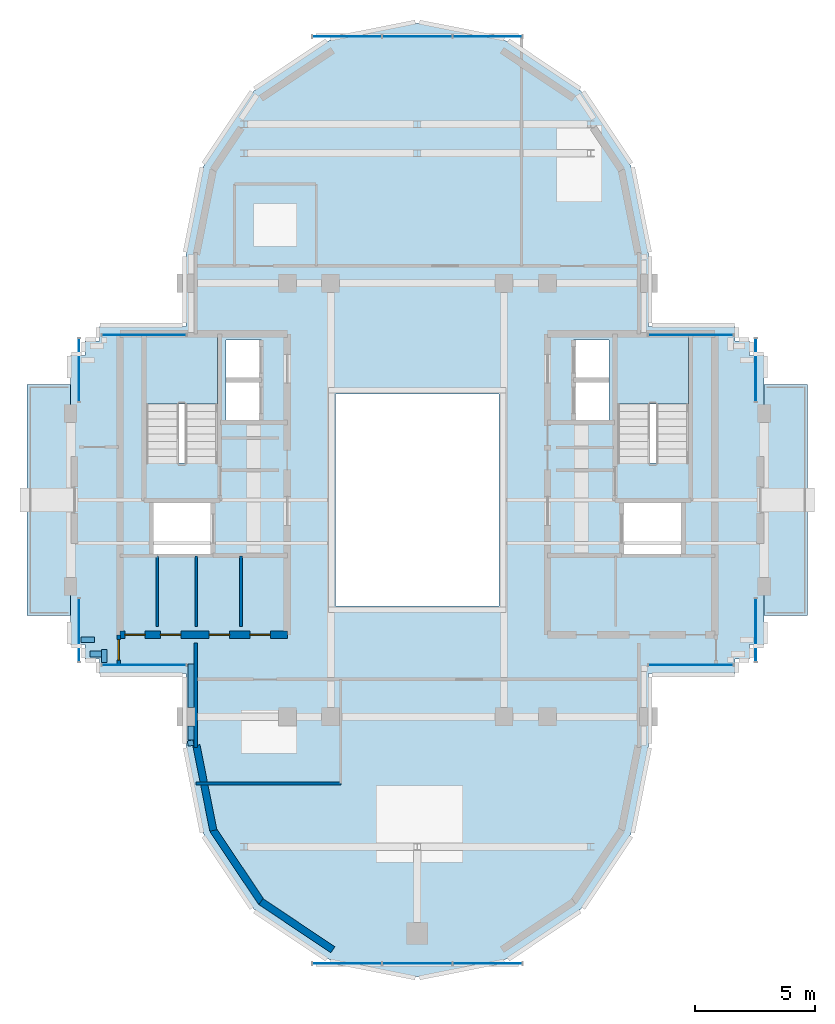
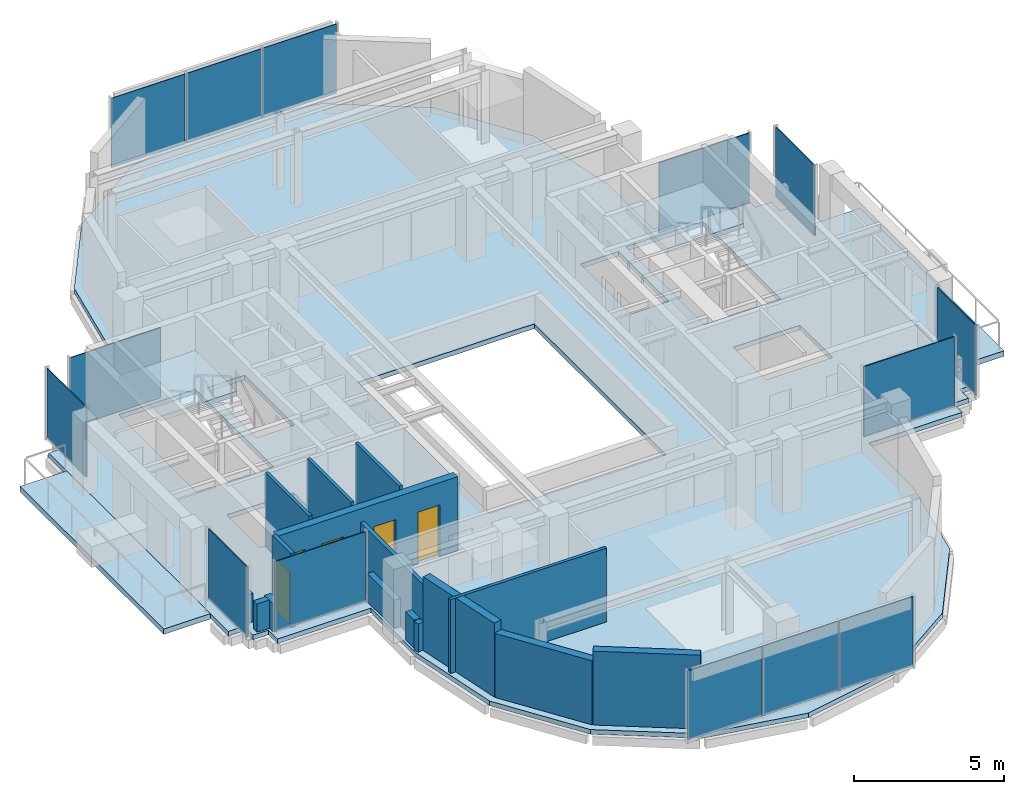
# One storey, part 6 of 12: 16 walls, 14 plates, 5 doors, 5 slabs, 5 openings, 12 elements without a shape of their own.
"""IFC4 building model written with IfcOpenShell, lengths in metres."""

from ifc_helpers import new_model, si_unit, direction, frame, frame_2d, origin, origin_2d, place, context, subcontext, project, spatial, polyline, rectangle, outline, extrude, source, transform, mapped, material, layer, layer_set, type_object, element, fill, aggregate, save


model = new_model("IFC4")

# Units and contexts
model_context = context("Model", 3, precision=1e-05, world=origin(), true_north=direction((0.0, 1.0)))
body_context = subcontext(model_context, "Body", "Model", "MODEL_VIEW")
ifc_project = project(units=[si_unit("LENGTHUNIT", "METRE"), si_unit("AREAUNIT", "SQUARE_METRE"), si_unit("VOLUMEUNIT", "CUBIC_METRE"), si_unit("PLANEANGLEUNIT", "RADIAN"), si_unit("MASSUNIT", "GRAM", prefix="KILO")], contexts=[model_context])

# Site, building, storey
site_placement = place(None, origin())
site = spatial("IfcSite", under=ifc_project, at=site_placement, CompositionType="ELEMENT")
building_placement = place(site_placement, origin())
building = spatial("IfcBuilding", under=site, at=building_placement, Name="Keilestroom Media Tower", CompositionType="ELEMENT")
storey_placement = place(building_placement, frame((0.0, 0.0, 258.800048828125)))
storey = spatial("IfcBuildingStorey", under=building, at=storey_placement, Name="L72", CompositionType="ELEMENT", Elevation=258.800048828125)

# Slabs
ifc_material_1 = material(Name="Concrete C50/60", Category="concrete")
ifc_layer_1 = layer(ifc_material_1, 0.18994140625)
ifc_layer_set_1 = layer_set([ifc_layer_1], Name="Concrete C50/60")
slab_type_1 = type_object("IfcSlabType", Name="Composite-Floor-Slab-190", PredefinedType="FLOOR", material=ifc_layer_set_1)
slab_1_placement = place(storey_placement, frame((0.0, 0.0, -0.18994140625)))
element("IfcSlab", 1, at=slab_1_placement, inside=storey, type_object=slab_type_1, Name="L72 Structural Composite Floor Slab", PredefinedType="FLOOR", context=body_context, shape_type="SweptSolid", body=[
    extrude(outline(polyline([(14.39990234375, -6.0), (14.39990234375, 6.0), (13.800048828125, 6.0), (13.800048828125, 6.60009765625), (13.199951171875, 6.60009765625), (13.199951171875, 7.199951171875), (9.60009765625, 7.199951171875), (9.60009765625, 9.60009765625), (9.60009765625, 10.199951171875), (8.869140625, 13.873779296875), (6.7880859375, 16.98828125), (3.673828125, 19.069091796875), (0.0, 19.800048828125), (-3.673828125, 19.069091796875), (-6.7880859375, 16.98828125), (-8.869140625, 13.873779296875), (-9.60009765625, 10.199951171875), (-9.60009765625, 9.60009765625), (-9.60009765625, 7.199951171875), (-13.199951171875, 7.199951171875), (-13.199951171875, 6.60009765625), (-13.800048828125, 6.60009765625), (-13.800048828125, 6.0), (-14.39990234375, 6.0), (-14.39990234375, -6.0), (-13.800048828125, -6.0), (-13.800048828125, -6.60009765625), (-13.199951171875, -6.60009765625), (-13.199951171875, -7.199951171875), (-9.60009765625, -7.199951171875), (-9.60009765625, -9.60009765625), (-9.60009765625, -10.199951171875), (-8.869140625, -13.873779296875), (-6.7880859375, -16.98828125), (-3.673828125, -19.069091796875), (0.0, -19.800048828125), (3.673828125, -19.069091796875), (6.7880859375, -16.98828125), (8.869140625, -13.873779296875), (9.60009765625, -10.199951171875), (9.60009765625, -9.60009765625), (9.60009765625, -7.199951171875), (13.199951171875, -7.199951171875), (13.199951171875, -6.60009765625), (13.800048828125, -6.60009765625), (13.800048828125, -6.0), (14.39990234375, -6.0)]), holes=[polyline([(-8.300048828125, 1.544921875), (-11.260009765625, 1.544921875), (-11.260009765625, 6.760009765625), (-8.300048828125, 6.760009765625), (-8.300048828125, 1.544921875)]), polyline([(-8.47998046875, -2.280029296875), (-11.050048828125, -2.280029296875), (-11.050048828125, -0.10009765625), (-8.47998046875, -0.10009765625), (-8.47998046875, -2.280029296875)]), polyline([(-6.47998046875, 3.300048828125), (-7.949951171875, 3.300048828125), (-7.949951171875, 6.64990234375), (-6.47998046875, 6.64990234375), (-6.47998046875, 3.300048828125)]), polyline([(3.39990234375, -4.39990234375), (-3.39990234375, -4.39990234375), (-3.39990234375, 4.39990234375), (3.39990234375, 4.39990234375), (3.39990234375, -4.39990234375)]), polyline([(7.949951171875, 3.300048828125), (6.47998046875, 3.300048828125), (6.47998046875, 6.64990234375), (7.949951171875, 6.64990234375), (7.949951171875, 3.300048828125)]), polyline([(11.260009765625, 1.544921875), (8.300048828125, 1.544921875), (8.300048828125, 6.760009765625), (11.260009765625, 6.760009765625), (11.260009765625, 1.544921875)]), polyline([(11.050048828125, -2.280029296875), (8.47998046875, -2.280029296875), (8.47998046875, -0.10009765625), (11.050048828125, -0.10009765625), (11.050048828125, -2.280029296875)])]), origin(), (0.0, 0.0, 1.0), 0.18994140625),
])
ifc_material_2 = material(Name="Concrete C45/55", Category="concrete")
ifc_layer_2 = layer(ifc_material_2, 0.219970703125)
ifc_layer_set_2 = layer_set([ifc_layer_2], Name="Concrete C45/55")
slab_type_2 = type_object("IfcSlabType", Name="Exterior-Terrace-And-Sky-Garden-Slab-220", PredefinedType="FLOOR", material=ifc_layer_set_2)
slab_2_placement = place(storey_placement, frame((0.0, 0.0, -0.219970703125)))
element("IfcSlab", 2, at=slab_2_placement, inside=storey, type_object=slab_type_2, Name="L72 Planted Sky-Garden Terrace Slab L72-CUP-TERR-W", PredefinedType="FLOOR", context=body_context, shape_type="SweptSolid", body=[
    extrude(outline(polyline([(-16.199951171875, -4.800048828125), (-14.39990234375, -4.800048828125), (-14.39990234375, 4.800048828125), (-16.199951171875, 4.800048828125), (-16.199951171875, -4.800048828125)])), origin(), (0.0, 0.0, 1.0), 0.219970703125),
])
slab_3_placement = place(storey_placement, frame((0.0, 0.0, -0.219970703125)))
element("IfcSlab", 3, at=slab_3_placement, inside=storey, type_object=slab_type_2, Name="L72 Planted Sky-Garden Terrace Slab L72-CUP-TERR-E", PredefinedType="FLOOR", context=body_context, shape_type="SweptSolid", body=[
    extrude(outline(polyline([(14.39990234375, -4.800048828125), (16.199951171875, -4.800048828125), (16.199951171875, 4.800048828125), (14.39990234375, 4.800048828125), (14.39990234375, -4.800048828125)])), origin(), (0.0, 0.0, 1.0), 0.219970703125),
])

# Stair, slab
stair_type = type_object("IfcStairType", Name="Enclosed-Dog-Leg-Stair-ST-CORE", PredefinedType="HALF_TURN_STAIR", material=ifc_material_2)
stair_1_placement = place(storey_placement, origin())
stair_1 = element("IfcStair", 4, at=stair_1_placement, inside=storey, type_object=stair_type, Name="L72 West Core Escape Stair ST-1", PredefinedType="HALF_TURN_STAIR")
ifc_layer_3 = layer(ifc_material_2, 0.199951171875)
ifc_layer_set_3 = layer_set([ifc_layer_3], Name="Concrete C45/55")
slab_type_3 = type_object("IfcSlabType", Name="Stair-Intermediate-And-Top-Landing-Slab-200", PredefinedType="LANDING", material=ifc_layer_set_3)
slab_4_placement = place(storey_placement, frame((0.0, 0.0, 1.39990234375)))
slab_4 = element("IfcSlab", 5, at=slab_4_placement, type_object=slab_type_3, Name="ST-1 landing 1", PredefinedType="LANDING", context=body_context, shape_type="SweptSolid", body=[
    extrude(outline(polyline([(-8.300048828125, 3.99609375), (-8.300048828125, 6.760009765625), (-11.260009765625, 6.760009765625), (-11.260009765625, 3.99609375), (-8.300048828125, 3.99609375)])), origin(), (0.0, 0.0, 1.0), 0.199951171875),
])
aggregate(stair_1, [slab_4])

stair_2_placement = place(storey_placement, origin())
stair_2 = element("IfcStair", 6, at=stair_2_placement, inside=storey, type_object=stair_type, Name="L72 East Core Escape Stair ST-2", PredefinedType="HALF_TURN_STAIR")
slab_5_placement = place(storey_placement, frame((0.0, 0.0, 1.39990234375)))
slab_5 = element("IfcSlab", 7, at=slab_5_placement, type_object=slab_type_3, Name="ST-2 landing 1", PredefinedType="LANDING", context=body_context, shape_type="SweptSolid", body=[
    extrude(outline(polyline([(11.260009765625, 3.99609375), (11.260009765625, 6.760009765625), (8.300048828125, 6.760009765625), (8.300048828125, 3.99609375), (11.260009765625, 3.99609375)])), origin(), (0.0, 0.0, 1.0), 0.199951171875),
])
aggregate(stair_2, [slab_5])

# Curtain wall, plates
ifc_material_3 = material(Name="Anodised Aluminium Alloy", Category="aluminium")
curtain_wall_type_1 = type_object("IfcCurtainWallType", Name="Unitised-Curtain-Wall-CW-6", PredefinedType="NOTDEFINED", material=ifc_material_3)
curtain_wall_1_placement = place(storey_placement, origin())
curtain_wall_1 = element("IfcCurtainWall", 8, at=curtain_wall_1_placement, inside=storey, type_object=curtain_wall_type_1, Name="L72 Curtain Wall CW-6 CW-L72-LN-1", PredefinedType="NOTDEFINED")
ifc_material_4 = material(Name="Curved-Facet Triple Glazed Unit", Category="glass")
ifc_layer_4 = layer(ifc_material_4, 0.033935546875)
ifc_layer_set_4 = layer_set([ifc_layer_4], Name="Curved-Facet Triple Glazed Unit")
plate_type_1 = type_object("IfcPlateType", Name="Insulated-Curtain-Wall-Glazing-Panel-CW-6", PredefinedType="CURTAIN_PANEL", material=ifc_layer_set_4)
shared_shape_1 = source(origin(), body_context, "Body", "SweptSolid", [
    extrude(rectangle(XDim=2.84375, YDim=0.033935546875, at=origin_2d()), origin(), (0.0, 0.0, 1.0), 2.833984375),
])
plate_1_placement = place(storey_placement, frame((-2.9169921875, 19.25, 0.072998046875), z_axis=(0.0, 0.0, 1.0), x_axis=(1.0, 0.0, 0.0)))
plate_1 = element("IfcPlate", 9, at=plate_1_placement, type_object=plate_type_1, Name="CW-6 Unitised Glazing 00", PredefinedType="CURTAIN_PANEL", context=body_context, shape_type="MappedRepresentation", body=[
    mapped(shared_shape_1, transform((0.0, 0.0, 0.0), x_axis=(1.0, 0.0, 0.0), y_axis=(0.0, 1.0, 0.0), z_axis=(0.0, 0.0, 1.0), scale=1.0)),
])
plate_2_placement = place(storey_placement, frame((2.9169921875, 19.25, 0.072998046875), z_axis=(0.0, 0.0, 1.0), x_axis=(1.0, 0.0, 0.0)))
plate_2 = element("IfcPlate", 10, at=plate_2_placement, type_object=plate_type_1, Name="CW-6 Unitised Glazing 02", PredefinedType="CURTAIN_PANEL", context=body_context, shape_type="MappedRepresentation", body=[
    mapped(shared_shape_1, transform((0.0, 0.0, 0.0), x_axis=(1.0, 0.0, 0.0), y_axis=(0.0, 1.0, 0.0), z_axis=(0.0, 0.0, 1.0), scale=1.0)),
])

curtain_wall_2_placement = place(storey_placement, origin())
curtain_wall_2 = element("IfcCurtainWall", 11, at=curtain_wall_2_placement, inside=storey, type_object=curtain_wall_type_1, Name="L72 Curtain Wall CW-6 CW-L72-LS-1", PredefinedType="NOTDEFINED")
plate_3_placement = place(storey_placement, frame((-2.9169921875, -19.25, 0.072998046875), z_axis=(0.0, 0.0, 1.0), x_axis=(1.0, 0.0, 0.0)))
plate_3 = element("IfcPlate", 12, at=plate_3_placement, type_object=plate_type_1, Name="CW-6 Unitised Glazing 00", PredefinedType="CURTAIN_PANEL", context=body_context, shape_type="MappedRepresentation", body=[
    mapped(shared_shape_1, transform((0.0, 0.0, 0.0), x_axis=(1.0, 0.0, 0.0), y_axis=(0.0, 1.0, 0.0), z_axis=(0.0, 0.0, 1.0), scale=1.0)),
])
plate_4_placement = place(storey_placement, frame((2.9169921875, -19.25, 0.072998046875), z_axis=(0.0, 0.0, 1.0), x_axis=(1.0, 0.0, 0.0)))
plate_4 = element("IfcPlate", 13, at=plate_4_placement, type_object=plate_type_1, Name="CW-6 Unitised Glazing 02", PredefinedType="CURTAIN_PANEL", context=body_context, shape_type="MappedRepresentation", body=[
    mapped(shared_shape_1, transform((0.0, 0.0, 0.0), x_axis=(1.0, 0.0, 0.0), y_axis=(0.0, 1.0, 0.0), z_axis=(0.0, 0.0, 1.0), scale=1.0)),
])

# Plate
shared_shape_2 = source(origin(), body_context, "Body", "SweptSolid", [
    extrude(rectangle(XDim=2.876220703125, YDim=0.033935546875, at=origin_2d()), origin(), (0.0, 0.0, 1.0), 2.833984375),
])
plate_5_placement = place(storey_placement, frame((0.0, 19.25, 0.072998046875), z_axis=(0.0, 0.0, 1.0), x_axis=(1.0, 0.0, 0.0)))
plate_5 = element("IfcPlate", 14, at=plate_5_placement, type_object=plate_type_1, Name="CW-6 Unitised Glazing 01", PredefinedType="CURTAIN_PANEL", context=body_context, shape_type="MappedRepresentation", body=[
    mapped(shared_shape_2, transform((0.0, 0.0, 0.0), x_axis=(1.0, 0.0, 0.0), y_axis=(0.0, 1.0, 0.0), z_axis=(0.0, 0.0, 1.0), scale=1.0)),
])

aggregate(curtain_wall_1, [plate_1, plate_5, plate_2])

plate_6_placement = place(storey_placement, frame((0.0, -19.25, 0.072998046875), z_axis=(0.0, 0.0, 1.0), x_axis=(1.0, 0.0, 0.0)))
plate_6 = element("IfcPlate", 15, at=plate_6_placement, type_object=plate_type_1, Name="CW-6 Unitised Glazing 01", PredefinedType="CURTAIN_PANEL", context=body_context, shape_type="MappedRepresentation", body=[
    mapped(shared_shape_2, transform((0.0, 0.0, 0.0), x_axis=(1.0, 0.0, 0.0), y_axis=(0.0, 1.0, 0.0), z_axis=(0.0, 0.0, 1.0), scale=1.0)),
])

aggregate(curtain_wall_2, [plate_3, plate_6, plate_4])

# Curtain wall, plate
curtain_wall_type_2 = type_object("IfcCurtainWallType", Name="Unitised-Curtain-Wall-CW-4", PredefinedType="NOTDEFINED", material=ifc_material_3)
curtain_wall_3_placement = place(storey_placement, origin())
curtain_wall_3 = element("IfcCurtainWall", 16, at=curtain_wall_3_placement, inside=storey, type_object=curtain_wall_type_2, Name="L72 Curtain Wall CW-4 CW-L72-W-1", PredefinedType="NOTDEFINED")
ifc_material_5 = material(Name="Triple Glazed Solar-Control Unit", Category="glass")
ifc_layer_5 = layer(ifc_material_5, 0.035888671875)
ifc_layer_set_5 = layer_set([ifc_layer_5], Name="Triple Glazed Solar-Control Unit")
plate_type_2 = type_object("IfcPlateType", Name="Insulated-Curtain-Wall-Glazing-Panel-CW-4", PredefinedType="CURTAIN_PANEL", material=ifc_layer_set_5)
shared_shape_3 = source(origin(), body_context, "Body", "SweptSolid", [
    extrude(rectangle(XDim=2.60302734375, YDim=0.035888671875, at=origin_2d()), origin(), (0.0, 0.0, 1.0), 2.85400390625),
])
plate_7_placement = place(storey_placement, frame((-14.050048828125, -5.392578125, 0.06298828125), z_axis=(0.0, 0.0, 1.0), x_axis=(0.0, 1.0, 0.0)))
plate_7 = element("IfcPlate", 17, at=plate_7_placement, type_object=plate_type_2, Name="CW-4 Unitised Glazing 00", PredefinedType="CURTAIN_PANEL", context=body_context, shape_type="MappedRepresentation", body=[
    mapped(shared_shape_3, transform((0.0, 0.0, 0.0), x_axis=(1.0, 0.0, 0.0), y_axis=(0.0, 1.0, 0.0), z_axis=(0.0, 0.0, 1.0), scale=1.0)),
])
aggregate(curtain_wall_3, [plate_7])

curtain_wall_4_placement = place(storey_placement, origin())
curtain_wall_4 = element("IfcCurtainWall", 18, at=curtain_wall_4_placement, inside=storey, type_object=curtain_wall_type_2, Name="L72 Curtain Wall CW-4 CW-L72-W-2", PredefinedType="NOTDEFINED")
plate_8_placement = place(storey_placement, frame((-14.050048828125, 5.392578125, 0.06298828125), z_axis=(0.0, 0.0, 1.0), x_axis=(0.0, 1.0, 0.0)))
plate_8 = element("IfcPlate", 19, at=plate_8_placement, type_object=plate_type_2, Name="CW-4 Unitised Glazing 00", PredefinedType="CURTAIN_PANEL", context=body_context, shape_type="MappedRepresentation", body=[
    mapped(shared_shape_3, transform((0.0, 0.0, 0.0), x_axis=(1.0, 0.0, 0.0), y_axis=(0.0, 1.0, 0.0), z_axis=(0.0, 0.0, 1.0), scale=1.0)),
])
aggregate(curtain_wall_4, [plate_8])

curtain_wall_5_placement = place(storey_placement, origin())
curtain_wall_5 = element("IfcCurtainWall", 20, at=curtain_wall_5_placement, inside=storey, type_object=curtain_wall_type_2, Name="L72 Curtain Wall CW-4 CW-L72-E-1", PredefinedType="NOTDEFINED")
plate_9_placement = place(storey_placement, frame((14.050048828125, -5.392578125, 0.06298828125), z_axis=(0.0, 0.0, 1.0), x_axis=(0.0, 1.0, 0.0)))
plate_9 = element("IfcPlate", 21, at=plate_9_placement, type_object=plate_type_2, Name="CW-4 Unitised Glazing 00", PredefinedType="CURTAIN_PANEL", context=body_context, shape_type="MappedRepresentation", body=[
    mapped(shared_shape_3, transform((0.0, 0.0, 0.0), x_axis=(1.0, 0.0, 0.0), y_axis=(0.0, 1.0, 0.0), z_axis=(0.0, 0.0, 1.0), scale=1.0)),
])
aggregate(curtain_wall_5, [plate_9])

curtain_wall_6_placement = place(storey_placement, origin())
curtain_wall_6 = element("IfcCurtainWall", 22, at=curtain_wall_6_placement, inside=storey, type_object=curtain_wall_type_2, Name="L72 Curtain Wall CW-4 CW-L72-E-2", PredefinedType="NOTDEFINED")
plate_10_placement = place(storey_placement, frame((14.050048828125, 5.392578125, 0.06298828125), z_axis=(0.0, 0.0, 1.0), x_axis=(0.0, 1.0, 0.0)))
plate_10 = element("IfcPlate", 23, at=plate_10_placement, type_object=plate_type_2, Name="CW-4 Unitised Glazing 00", PredefinedType="CURTAIN_PANEL", context=body_context, shape_type="MappedRepresentation", body=[
    mapped(shared_shape_3, transform((0.0, 0.0, 0.0), x_axis=(1.0, 0.0, 0.0), y_axis=(0.0, 1.0, 0.0), z_axis=(0.0, 0.0, 1.0), scale=1.0)),
])
aggregate(curtain_wall_6, [plate_10])

curtain_wall_7_placement = place(storey_placement, origin())
curtain_wall_7 = element("IfcCurtainWall", 24, at=curtain_wall_7_placement, inside=storey, type_object=curtain_wall_type_2, Name="L72 Curtain Wall CW-4 CW-L72-NW-1", PredefinedType="NOTDEFINED")
shared_shape_4 = source(origin(), body_context, "Body", "SweptSolid", [
    extrude(rectangle(XDim=3.488037109375, YDim=0.035888671875, at=origin_2d()), origin(), (0.0, 0.0, 1.0), 2.85400390625),
])
plate_11_placement = place(storey_placement, frame((-11.35009765625, 6.85009765625, 0.06298828125), z_axis=(0.0, 0.0, 1.0), x_axis=(1.0, 0.0, 0.0)))
plate_11 = element("IfcPlate", 25, at=plate_11_placement, type_object=plate_type_2, Name="CW-4 Unitised Glazing 00", PredefinedType="CURTAIN_PANEL", context=body_context, shape_type="MappedRepresentation", body=[
    mapped(shared_shape_4, transform((0.0, 0.0, 0.0), x_axis=(1.0, 0.0, 0.0), y_axis=(0.0, 1.0, 0.0), z_axis=(0.0, 0.0, 1.0), scale=1.0)),
])
aggregate(curtain_wall_7, [plate_11])

curtain_wall_8_placement = place(storey_placement, origin())
curtain_wall_8 = element("IfcCurtainWall", 26, at=curtain_wall_8_placement, inside=storey, type_object=curtain_wall_type_2, Name="L72 Curtain Wall CW-4 CW-L72-NE-1", PredefinedType="NOTDEFINED")
plate_12_placement = place(storey_placement, frame((11.35009765625, 6.85009765625, 0.06298828125), z_axis=(0.0, 0.0, 1.0), x_axis=(1.0, 0.0, 0.0)))
plate_12 = element("IfcPlate", 27, at=plate_12_placement, type_object=plate_type_2, Name="CW-4 Unitised Glazing 00", PredefinedType="CURTAIN_PANEL", context=body_context, shape_type="MappedRepresentation", body=[
    mapped(shared_shape_4, transform((0.0, 0.0, 0.0), x_axis=(1.0, 0.0, 0.0), y_axis=(0.0, 1.0, 0.0), z_axis=(0.0, 0.0, 1.0), scale=1.0)),
])
aggregate(curtain_wall_8, [plate_12])

curtain_wall_9_placement = place(storey_placement, origin())
curtain_wall_9 = element("IfcCurtainWall", 28, at=curtain_wall_9_placement, inside=storey, type_object=curtain_wall_type_2, Name="L72 Curtain Wall CW-4 CW-L72-SW-1", PredefinedType="NOTDEFINED")
plate_13_placement = place(storey_placement, frame((-11.35009765625, -6.85009765625, 0.06298828125), z_axis=(0.0, 0.0, 1.0), x_axis=(1.0, 0.0, 0.0)))
plate_13 = element("IfcPlate", 29, at=plate_13_placement, type_object=plate_type_2, Name="CW-4 Unitised Glazing 00", PredefinedType="CURTAIN_PANEL", context=body_context, shape_type="MappedRepresentation", body=[
    mapped(shared_shape_4, transform((0.0, 0.0, 0.0), x_axis=(1.0, 0.0, 0.0), y_axis=(0.0, 1.0, 0.0), z_axis=(0.0, 0.0, 1.0), scale=1.0)),
])
aggregate(curtain_wall_9, [plate_13])

curtain_wall_10_placement = place(storey_placement, origin())
curtain_wall_10 = element("IfcCurtainWall", 30, at=curtain_wall_10_placement, inside=storey, type_object=curtain_wall_type_2, Name="L72 Curtain Wall CW-4 CW-L72-SE-1", PredefinedType="NOTDEFINED")
plate_14_placement = place(storey_placement, frame((11.35009765625, -6.85009765625, 0.06298828125), z_axis=(0.0, 0.0, 1.0), x_axis=(1.0, 0.0, 0.0)))
plate_14 = element("IfcPlate", 31, at=plate_14_placement, type_object=plate_type_2, Name="CW-4 Unitised Glazing 00", PredefinedType="CURTAIN_PANEL", context=body_context, shape_type="MappedRepresentation", body=[
    mapped(shared_shape_4, transform((0.0, 0.0, 0.0), x_axis=(1.0, 0.0, 0.0), y_axis=(0.0, 1.0, 0.0), z_axis=(0.0, 0.0, 1.0), scale=1.0)),
])
aggregate(curtain_wall_10, [plate_14])

# Walls
ifc_material_6 = material(Name="Precast concrete C40/50", Category="concrete")
ifc_layer_6 = layer(ifc_material_6, 0.300048828125)
ifc_layer_set_6 = layer_set([ifc_layer_6], Name="Precast concrete C40/50")
wall_type_1 = type_object("IfcWallType", Name="Exterior-Masonry-Spandrel-Wall-300", PredefinedType="SOLIDWALL", material=ifc_layer_set_6)
wall_1_placement = place(storey_placement, frame((-9.1748046875, -10.185302734375, 0.0), z_axis=(0.0, 0.0, 1.0), x_axis=(0.195114232679, -0.980780523974, 0.0)))
element("IfcWall", 32, at=wall_1_placement, inside=storey, type_object=wall_type_1, Name="L72 Lobe Facet Precast Frame Wall 07", PredefinedType="SOLIDWALL", context=body_context, shape_type="SweptSolid", body=[
    extrude(rectangle(XDim=3.608642578125, YDim=0.300048828125, at=frame_2d((1.80419921875, 0.0))), origin(), (0.0, 0.0, 1.0), 3.010009765625),
])
wall_2_placement = place(storey_placement, frame((-8.48193359375, -13.697509765625, 0.0), z_axis=(0.0, 0.0, 1.0), x_axis=(0.555574187116, -0.831466970246, 0.0)))
element("IfcWall", 33, at=wall_2_placement, inside=storey, type_object=wall_type_1, Name="L72 Lobe Facet Precast Frame Wall 08", PredefinedType="SOLIDWALL", context=body_context, shape_type="SweptSolid", body=[
    extrude(rectangle(XDim=3.608642578125, YDim=0.300048828125, at=frame_2d((1.80419921875, 0.0))), origin(), (0.0, 0.0, 1.0), 2.60986328125),
])
wall_3_placement = place(storey_placement, frame((-6.497802734375, -16.677001953125, 0.0), z_axis=(0.0, 0.0, 1.0), x_axis=(0.831443568068, -0.555609208993, 0.0)))
element("IfcWall", 34, at=wall_3_placement, inside=storey, type_object=wall_type_1, Name="L72 Lobe Facet Precast Frame Wall 09", PredefinedType="SOLIDWALL", context=body_context, shape_type="SweptSolid", body=[
    extrude(rectangle(XDim=3.593505859375, YDim=0.300048828125, at=frame_2d((1.796875, 0.0))), origin(), (0.0, 0.0, 1.0), 3.010009765625),
])
ifc_material_7 = material(Name="Gypsum Plasterboard & Steel Stud", Category="steel")
ifc_layer_7 = layer(ifc_material_7, 0.1201171875)
ifc_layer_set_7 = layer_set([ifc_layer_7], Name="Gypsum Plasterboard & Steel Stud")
wall_type_2 = type_object("IfcWallType", Name="Interior-Partition-Wall-120", PredefinedType="PARTITIONING", material=ifc_layer_set_7)
for number, where, z_axis, x_axis, name in (
    (35, (-10.800048828125, -5.260009765625, 0.0), (0.0, 0.0, 1.0), (0.0, 1.0, 0.0), "L72 Interior Wall WP-L72-RECLM-SEP"),
    (36, (-9.179931640625, -5.260009765625, 0.0), (0.0, 0.0, 1.0), (0.0, 1.0, 0.0), "L72 Interior Wall WP-L72-RECMW-M1"),
    (37, (-7.320068359375, -5.260009765625, 0.0), (0.0, 0.0, 1.0), (0.0, 1.0, 0.0), "L72 Interior Wall WP-L72-RECMW-M2"),
):
    element("IfcWall", number, at=place(storey_placement, frame(where, z_axis=z_axis, x_axis=x_axis)), inside=storey, type_object=wall_type_2, Name=name, PredefinedType="PARTITIONING", context=body_context, shape_type="SweptSolid", body=[
        extrude(rectangle(XDim=2.93994140625, YDim=0.1201171875, at=frame_2d((1.469970703125, 0.0))), origin(), (0.0, 0.0, 1.0), 3.010009765625),
    ])
wall_4_placement = place(storey_placement, frame((-9.199951171875, -11.77001953125, 0.0), z_axis=(0.0, 0.0, 1.0), x_axis=(1.0, 0.0, 0.0)))
element("IfcWall", 38, at=wall_4_placement, inside=storey, type_object=wall_type_2, Name="L72 Interior Wall WP-L72-SL-HM", PredefinedType="PARTITIONING", context=body_context, shape_type="SweptSolid", body=[
    extrude(rectangle(XDim=6.02001953125, YDim=0.1201171875, at=frame_2d((3.010009765625, 0.0))), origin(), (0.0, 0.0, 1.0), 3.010009765625),
])
ifc_layer_8 = layer(ifc_material_7, 0.14990234375)
ifc_layer_set_8 = layer_set([ifc_layer_8], Name="Gypsum Plasterboard & Steel Stud")
wall_type_3 = type_object("IfcWallType", Name="Interior-Partition-Wall-150", PredefinedType="PARTITIONING", material=ifc_layer_set_8)
wall_5_placement = place(storey_placement, frame((-9.199951171875, -10.280029296875, 0.0), z_axis=(0.0, 0.0, 1.0), x_axis=(0.0, 1.0, 0.0)))
element("IfcWall", 39, at=wall_5_placement, inside=storey, type_object=wall_type_3, Name="L72 Interior Wall WP-L72-SL-CHKW", PredefinedType="PARTITIONING", context=body_context, shape_type="SweptSolid", body=[
    extrude(rectangle(XDim=4.340087890625, YDim=0.14990234375, at=frame_2d((2.169921875, 0.0))), origin(), (0.0, 0.0, 1.0), 2.60986328125),
])

# Wall, opening, door
wall_6_placement = place(storey_placement, frame((-12.39990234375, -6.85009765625, 0.0), z_axis=(0.0, 0.0, 1.0), x_axis=(0.0, 1.0, 0.0)))
wall_6 = element("IfcWall", 40, at=wall_6_placement, inside=storey, type_object=wall_type_3, Name="L72 Interior Wall WP-L72-WA-ENTS", PredefinedType="PARTITIONING", context=body_context, shape_type="SweptSolid", body=[
    extrude(rectangle(XDim=1.25, YDim=0.14990234375, at=frame_2d((0.625, 0.0))), origin(), (0.0, 0.0, 1.0), 3.010009765625),
])
opening_1_placement = place(wall_6_placement, frame((0.199951171875, 0.0, 0.0)))
opening_1 = element("IfcOpeningElement", 41, at=opening_1_placement, cuts=wall_6, Name="Opening DI-05", PredefinedType="OPENING", context=body_context, shape_type="SweptSolid", body=[
    extrude(rectangle(XDim=0.85009765625, YDim=2.10009765625, at=frame_2d((0.425048828125, 1.050048828125))), frame((0.0, 0.0849609375, 0.0), z_axis=(0.0, -1.0, 0.0), x_axis=(1.0, 0.0, 0.0)), (0.0, 0.0, 1.0), 0.169921875),
])
ifc_material_8 = material(Name="Moisture-Resistant Oak Leaf", Category="wood")
door_type = type_object("IfcDoorType", Name="Interior-En-Suite-And-Cupboard-Door-DI-05", OperationType="NOTDEFINED", PredefinedType="DOOR", material=ifc_material_8)
shared_shape_5 = source(origin(), body_context, "Body", "SweptSolid", [
    extrude(rectangle(XDim=0.85009765625, YDim=2.10009765625, at=frame_2d((0.425048828125, 1.050048828125))), frame((0.0, 0.02490234375, 0.0), z_axis=(0.0, -1.0, 0.0), x_axis=(1.0, 0.0, 0.0)), (0.0, 0.0, 1.0), 0.050048828125),
])
door_1_placement = place(opening_1_placement, origin())
door_1 = element("IfcDoor", 42, at=door_1_placement, inside=storey, type_object=door_type, Name="L72 Interior Door DI-L72-DWA-CUP", OperationType="SINGLE_SWING_RIGHT", OverallHeight=2.10009765625, OverallWidth=0.85009765625, PredefinedType="DOOR", context=body_context, shape_type="MappedRepresentation", body=[
    mapped(shared_shape_5, transform((0.0, 0.0, 0.0), x_axis=(1.0, 0.0, 0.0), y_axis=(0.0, 1.0, 0.0), z_axis=(0.0, 0.0, 1.0), scale=1.0)),
])
fill(opening_1, door_1)

# Wall, openings, doors
ifc_layer_9 = layer(ifc_material_1, 0.300048828125)
ifc_layer_set_9 = layer_set([ifc_layer_9], Name="Concrete C50/60")
wall_type_4 = type_object("IfcWallType", Name="Reinforced-Concrete-Core-Shear-Wall-300", PredefinedType="SHEAR", material=ifc_layer_set_9)
wall_7_placement = place(storey_placement, frame((-12.35009765625, -5.60009765625, 0.0), z_axis=(0.0, 0.0, 1.0), x_axis=(1.0, 0.0, 0.0)))
wall_7 = element("IfcWall", 43, at=wall_7_placement, inside=storey, type_object=wall_type_4, Name="L72 Core Shear Wall WL-L72-CORE-W-S", PredefinedType="SHEAR", context=body_context, shape_type="SweptSolid", body=[
    extrude(rectangle(XDim=6.9501953125, YDim=0.300048828125, at=frame_2d((3.47509765625, 0.0))), origin(), (0.0, 0.0, 1.0), 3.010009765625),
])
opening_2_placement = place(wall_7_placement, frame((0.199951171875, 0.0, 0.0)))
opening_2 = element("IfcOpeningElement", 44, at=opening_2_placement, cuts=wall_7, Name="Opening DI-05", PredefinedType="OPENING", context=body_context, shape_type="SweptSolid", body=[
    extrude(rectangle(XDim=0.85009765625, YDim=2.10009765625, at=frame_2d((0.425048828125, 1.050048828125))), frame((0.0, 0.16015625, 0.0), z_axis=(0.0, -1.0, 0.0), x_axis=(1.0, 0.0, 0.0)), (0.0, 0.0, 1.0), 0.320068359375),
])
opening_3_placement = place(wall_7_placement, frame((1.679931640625, 0.0, 0.0)))
opening_3 = element("IfcOpeningElement", 45, at=opening_3_placement, cuts=wall_7, Name="Opening DI-05", PredefinedType="OPENING", context=body_context, shape_type="SweptSolid", body=[
    extrude(rectangle(XDim=0.85009765625, YDim=2.10009765625, at=frame_2d((0.425048828125, 1.050048828125))), frame((0.0, 0.16015625, 0.0), z_axis=(0.0, -1.0, 0.0), x_axis=(1.0, 0.0, 0.0)), (0.0, 0.0, 1.0), 0.320068359375),
])
opening_4_placement = place(wall_7_placement, frame((3.699951171875, 0.0, 0.0)))
opening_4 = element("IfcOpeningElement", 46, at=opening_4_placement, cuts=wall_7, Name="Opening DI-05", PredefinedType="OPENING", context=body_context, shape_type="SweptSolid", body=[
    extrude(rectangle(XDim=0.85009765625, YDim=2.10009765625, at=frame_2d((0.425048828125, 1.050048828125))), frame((0.0, 0.16015625, 0.0), z_axis=(0.0, -1.0, 0.0), x_axis=(1.0, 0.0, 0.0)), (0.0, 0.0, 1.0), 0.320068359375),
])
opening_5_placement = place(wall_7_placement, frame((5.39990234375, 0.0, 0.0)))
opening_5 = element("IfcOpeningElement", 47, at=opening_5_placement, cuts=wall_7, Name="Opening DI-05", PredefinedType="OPENING", context=body_context, shape_type="SweptSolid", body=[
    extrude(rectangle(XDim=0.85009765625, YDim=2.10009765625, at=frame_2d((0.425048828125, 1.050048828125))), frame((0.0, 0.16015625, 0.0), z_axis=(0.0, -1.0, 0.0), x_axis=(1.0, 0.0, 0.0)), (0.0, 0.0, 1.0), 0.320068359375),
])
door_2_placement = place(opening_2_placement, origin())
door_2 = element("IfcDoor", 48, at=door_2_placement, inside=storey, type_object=door_type, Name="L72 Reclaimed West Closet 1 Door", OperationType="SINGLE_SWING_LEFT", OverallHeight=2.10009765625, OverallWidth=0.85009765625, PredefinedType="DOOR", context=body_context, shape_type="MappedRepresentation", body=[
    mapped(shared_shape_5, transform((0.0, 0.0, 0.0), x_axis=(1.0, 0.0, 0.0), y_axis=(0.0, 1.0, 0.0), z_axis=(0.0, 0.0, 1.0), scale=1.0)),
])
fill(opening_2, door_2)
door_3_placement = place(opening_3_placement, origin())
door_3 = element("IfcDoor", 49, at=door_3_placement, inside=storey, type_object=door_type, Name="L72 Reclaimed Mid West Room 1 Door", OperationType="SINGLE_SWING_LEFT", OverallHeight=2.10009765625, OverallWidth=0.85009765625, PredefinedType="DOOR", context=body_context, shape_type="MappedRepresentation", body=[
    mapped(shared_shape_5, transform((0.0, 0.0, 0.0), x_axis=(1.0, 0.0, 0.0), y_axis=(0.0, 1.0, 0.0), z_axis=(0.0, 0.0, 1.0), scale=1.0)),
])
fill(opening_3, door_3)
door_4_placement = place(opening_4_placement, origin())
door_4 = element("IfcDoor", 50, at=door_4_placement, inside=storey, type_object=door_type, Name="L72 Reclaimed Mid West Room 2 Door", OperationType="SINGLE_SWING_LEFT", OverallHeight=2.10009765625, OverallWidth=0.85009765625, PredefinedType="DOOR", context=body_context, shape_type="MappedRepresentation", body=[
    mapped(shared_shape_5, transform((0.0, 0.0, 0.0), x_axis=(1.0, 0.0, 0.0), y_axis=(0.0, 1.0, 0.0), z_axis=(0.0, 0.0, 1.0), scale=1.0)),
])
fill(opening_4, door_4)
door_5_placement = place(opening_5_placement, origin())
door_5 = element("IfcDoor", 51, at=door_5_placement, inside=storey, type_object=door_type, Name="L72 Reclaimed Mid West Room 3 Door", OperationType="SINGLE_SWING_RIGHT", OverallHeight=2.10009765625, OverallWidth=0.85009765625, PredefinedType="DOOR", context=body_context, shape_type="MappedRepresentation", body=[
    mapped(shared_shape_5, transform((0.0, 0.0, 0.0), x_axis=(1.0, 0.0, 0.0), y_axis=(0.0, 1.0, 0.0), z_axis=(0.0, 0.0, 1.0), scale=1.0)),
])
fill(opening_5, door_5)

# Walls
ifc_layer_10 = layer(ifc_material_6, 0.239990234375)
ifc_layer_set_10 = layer_set([ifc_layer_10], Name="Precast concrete C40/50")
wall_type_5 = type_object("IfcWallType", Name="Roof-And-Terrace-Parapet-Wall-240", PredefinedType="PARAPET", material=ifc_layer_set_10)
wall_8_placement = place(storey_placement, frame((-9.395263671875, -10.2041015625, 0.0), z_axis=(0.0, 0.0, 1.0), x_axis=(-0.194859894132, 0.980831087221, 0.0)))
element("IfcWall", 52, at=wall_8_placement, inside=storey, type_object=wall_type_5, Name="L72 Perimeter Edge Parapet Wall 07", PredefinedType="PARAPET", context=body_context, shape_type="SweptSolid", body=[
    extrude(rectangle(XDim=0.224365234375, YDim=0.239990234375, at=frame_2d((0.1123046875, 0.0))), origin(), (0.0, 0.0, 1.0), 1.14990234375),
])
wall_9_placement = place(storey_placement, frame((-9.39990234375, -9.957763671875, 0.0), z_axis=(0.0, 0.0, 1.0), x_axis=(0.0, 1.0, 0.0)))
element("IfcWall", 53, at=wall_9_placement, inside=storey, type_object=wall_type_5, Name="L72 Perimeter Edge Parapet Wall 08", PredefinedType="PARAPET", context=body_context, shape_type="SweptSolid", body=[
    extrude(rectangle(XDim=0.579833984375, YDim=0.239990234375, at=frame_2d((0.2900390625, 0.0))), origin(), (0.0, 0.0, 1.0), 1.14990234375),
])
wall_10_placement = place(storey_placement, frame((-9.39990234375, -8.6220703125, 0.0), z_axis=(0.0, 0.0, 1.0), x_axis=(0.0, 1.0, 0.0)))
element("IfcWall", 54, at=wall_10_placement, inside=storey, type_object=wall_type_5, Name="L72 Perimeter Edge Parapet Wall 09", PredefinedType="PARAPET", context=body_context, shape_type="SweptSolid", body=[
    extrude(rectangle(XDim=1.802978515625, YDim=0.239990234375, at=frame_2d((0.9013671875, 0.0))), origin(), (0.0, 0.0, 1.0), 1.14990234375),
])
wall_11_placement = place(storey_placement, frame((-13.0, -6.757080078125, 0.0), z_axis=(0.0, 0.0, 1.0), x_axis=(0.0, 1.0, 0.0)))
element("IfcWall", 55, at=wall_11_placement, inside=storey, type_object=wall_type_5, Name="L72 Perimeter Edge Parapet Wall 10", PredefinedType="PARAPET", context=body_context, shape_type="SweptSolid", body=[
    extrude(rectangle(XDim=0.55712890625, YDim=0.239990234375, at=frame_2d((0.278564453125, 0.0))), origin(), (0.0, 0.0, 1.0), 1.14990234375),
])
wall_12_placement = place(storey_placement, frame((-13.123046875, -6.39990234375, 0.0), z_axis=(0.0, 0.0, 1.0), x_axis=(-1.0, 0.0, 0.0)))
element("IfcWall", 56, at=wall_12_placement, inside=storey, type_object=wall_type_5, Name="L72 Perimeter Edge Parapet Wall 11", PredefinedType="PARAPET", context=body_context, shape_type="SweptSolid", body=[
    extrude(rectangle(XDim=0.47705078125, YDim=0.239990234375, at=frame_2d((0.238525390625, 0.0))), origin(), (0.0, 0.0, 1.0), 1.14990234375),
])
wall_13_placement = place(storey_placement, frame((-13.39990234375, -5.800048828125, 0.0), z_axis=(0.0, 0.0, 1.0), x_axis=(-1.0, 0.0, 0.0)))
element("IfcWall", 57, at=wall_13_placement, inside=storey, type_object=wall_type_5, Name="L72 Perimeter Edge Parapet Wall 12", PredefinedType="PARAPET", context=body_context, shape_type="SweptSolid", body=[
    extrude(rectangle(XDim=0.55712890625, YDim=0.239990234375, at=frame_2d((0.278564453125, 0.0))), origin(), (0.0, 0.0, 1.0), 1.14990234375),
])

save(model, "model.ifc")
